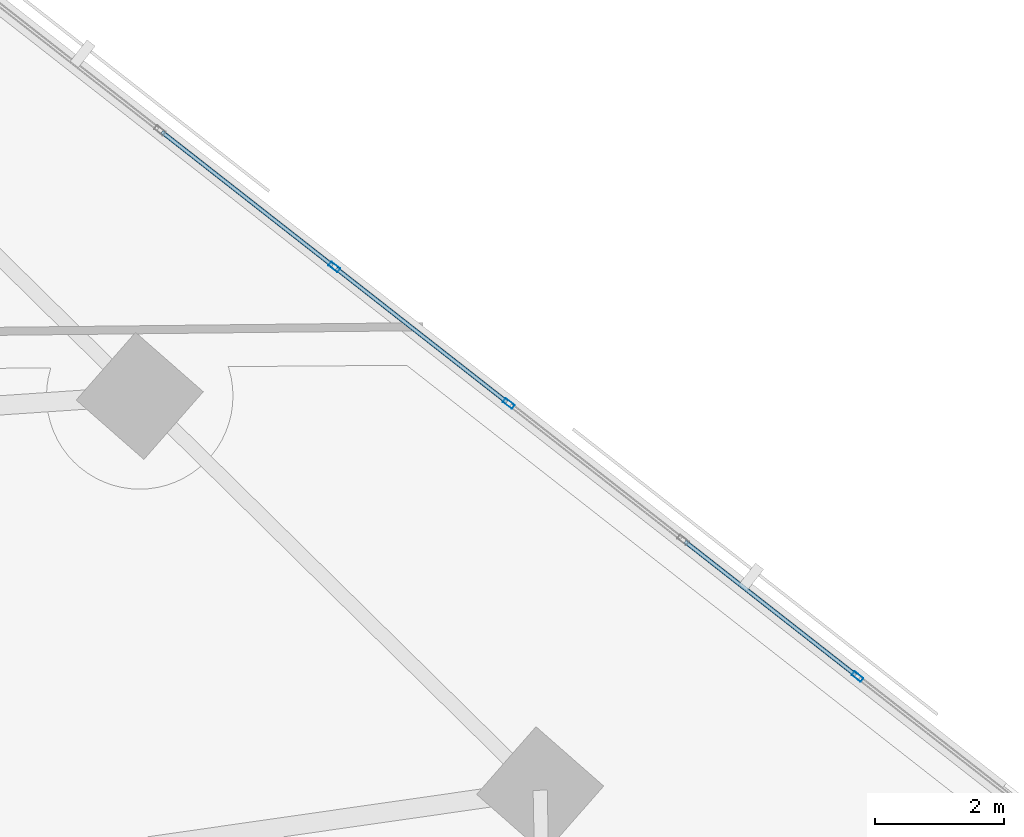
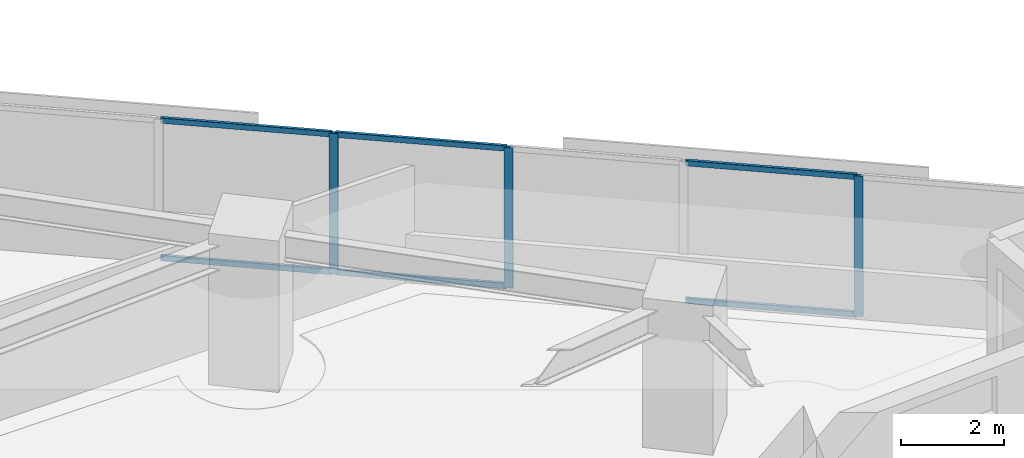
# One storey, part 5 of 17: 9 members, 1 element without a shape of its own.
"""IFC4 building model written with IfcOpenShell, lengths in metres."""

from ifc_helpers import new_model, si_unit, direction, frame, origin, origin_2d, place, context, subcontext, project, spatial, hollow_rectangle, extrude, material, material_profile, profile_set, type_object, element, aggregate, save


model = new_model("IFC4")

# Units and contexts
model_context = context("Model", 3, precision=1e-05, world=origin(), true_north=direction((0.0, 1.0)))
body_context = subcontext(model_context, "Body", "Model", "MODEL_VIEW")
ifc_project = project(units=[si_unit("LENGTHUNIT", "METRE"), si_unit("AREAUNIT", "SQUARE_METRE"), si_unit("VOLUMEUNIT", "CUBIC_METRE"), si_unit("PLANEANGLEUNIT", "RADIAN"), si_unit("MASSUNIT", "GRAM", prefix="KILO")], contexts=[model_context])

# Site, building, storey
site_placement = place(None, origin())
site = spatial("IfcSite", under=ifc_project, at=site_placement, CompositionType="ELEMENT")
building_placement = place(site_placement, origin())
building = spatial("IfcBuilding", under=site, at=building_placement, Name="Narakoshi Arena Tower", CompositionType="ELEMENT")
storey_placement = place(building_placement, frame((0.0, 0.0, 63.300048828125)))
storey = spatial("IfcBuildingStorey", under=building, at=storey_placement, Name="L16", CompositionType="ELEMENT", Elevation=63.300048828125)

# Curtain wall, members
ifc_material = material(Name="Anodised bronze aluminium 6063-T6", Category="aluminium")
curtain_wall_type = type_object("IfcCurtainWallType", Name="CW-HYP-LOW", PredefinedType="NOTDEFINED", material=ifc_material)
curtain_wall_placement = place(storey_placement, origin())
curtain_wall = element("IfcCurtainWall", 1, at=curtain_wall_placement, inside=storey, type_object=curtain_wall_type, Name="L16 Folded Hypotenuse Curtain Wall 1-1", PredefinedType="NOTDEFINED")
ifc_material_profile_1 = material_profile(ifc_material, hollow_rectangle(XDim=0.074951171875, YDim=0.179931640625, WallThickness=0.00390625, OuterFilletRadius=0.0048828125, at=origin_2d()), Name="MUL180x75x4")
ifc_profile_set_1 = profile_set([ifc_material_profile_1], Name="Anodised bronze aluminium 6063-T6")
member_type_1 = type_object("IfcMemberType", Name="MEM-MUL-180", PredefinedType="MULLION", material=ifc_profile_set_1)
member_1_placement = place(storey_placement, frame((118.150634765625, 40.435791015625, 0.0), z_axis=(0.0, 0.0, 1.0), x_axis=(-0.616458234641, -0.787387607817, 0.0)))
member_1 = element("IfcMember", 2, at=member_1_placement, type_object=member_type_1, Name="CW-01 mullion 2", PredefinedType="MULLION", context=body_context, shape_type="SweptSolid", body=[
    extrude(hollow_rectangle(XDim=0.074951171875, YDim=0.179931640625, WallThickness=0.00390625, OuterFilletRadius=0.0048828125, at=origin_2d()), origin(), (0.0, 0.0, 1.0), 3.33984375),
])
member_2_placement = place(storey_placement, frame((112.7275390625, 44.681640625, 0.0), z_axis=(0.0, 0.0, 1.0), x_axis=(-0.616458234641, -0.787387607817, 0.0)))
member_2 = element("IfcMember", 3, at=member_2_placement, type_object=member_type_1, Name="CW-01 mullion 4", PredefinedType="MULLION", context=body_context, shape_type="SweptSolid", body=[
    extrude(hollow_rectangle(XDim=0.074951171875, YDim=0.179931640625, WallThickness=0.00390625, OuterFilletRadius=0.0048828125, at=origin_2d()), origin(), (0.0, 0.0, 1.0), 3.33984375),
])
member_3_placement = place(storey_placement, frame((110.015869140625, 46.8046875, 0.0), z_axis=(0.0, 0.0, 1.0), x_axis=(-0.616458234641, -0.787387607817, 0.0)))
member_3 = element("IfcMember", 4, at=member_3_placement, type_object=member_type_1, Name="CW-01 mullion 5", PredefinedType="MULLION", context=body_context, shape_type="SweptSolid", body=[
    extrude(hollow_rectangle(XDim=0.074951171875, YDim=0.179931640625, WallThickness=0.00390625, OuterFilletRadius=0.0048828125, at=origin_2d()), origin(), (0.0, 0.0, 1.0), 3.33984375),
])
ifc_material_profile_2 = material_profile(ifc_material, hollow_rectangle(XDim=0.06494140625, YDim=0.1298828125, WallThickness=0.00390625, OuterFilletRadius=0.0048828125, at=origin_2d()), Name="TRN130x65x4")
ifc_profile_set_2 = profile_set([ifc_material_profile_2], Name="Anodised bronze aluminium 6063-T6")
member_type_2 = type_object("IfcMemberType", Name="MEM-TRN-130", PredefinedType="USERDEFINED", material=ifc_profile_set_2)
member_4_placement = place(storey_placement, frame((118.12109375, 40.458984375, 0.032470703125), z_axis=(-0.787400998112, 0.616441131149, 0.0), x_axis=(-0.616441131149, -0.787400998112, 0.0)))
member_4 = element("IfcMember", 5, at=member_4_placement, type_object=member_type_2, Name="CW-01 transom 2.1", ObjectType="TRANSOM", PredefinedType="USERDEFINED", context=body_context, shape_type="SweptSolid", body=[
    extrude(hollow_rectangle(XDim=0.06494140625, YDim=0.1298828125, WallThickness=0.00390625, OuterFilletRadius=0.0048828125, at=origin_2d()), origin(), (0.0, 0.0, 1.0), 3.368896484375),
])
member_5_placement = place(storey_placement, frame((118.12109375, 40.458984375, 3.307373046875), z_axis=(-0.787400998112, 0.616441131149, 0.0), x_axis=(-0.616441131149, -0.787400998112, 0.0)))
member_5 = element("IfcMember", 6, at=member_5_placement, type_object=member_type_2, Name="CW-01 transom 2.2", ObjectType="TRANSOM", PredefinedType="USERDEFINED", context=body_context, shape_type="SweptSolid", body=[
    extrude(hollow_rectangle(XDim=0.06494140625, YDim=0.1298828125, WallThickness=0.00390625, OuterFilletRadius=0.0048828125, at=origin_2d()), origin(), (0.0, 0.0, 1.0), 3.368896484375),
])
member_6_placement = place(storey_placement, frame((112.697998046875, 44.704833984375, 0.032470703125), z_axis=(-0.787400998112, 0.616441131149, 0.0), x_axis=(-0.616441131149, -0.787400998112, 0.0)))
member_6 = element("IfcMember", 7, at=member_6_placement, type_object=member_type_2, Name="CW-01 transom 4.1", ObjectType="TRANSOM", PredefinedType="USERDEFINED", context=body_context, shape_type="SweptSolid", body=[
    extrude(hollow_rectangle(XDim=0.06494140625, YDim=0.1298828125, WallThickness=0.00390625, OuterFilletRadius=0.0048828125, at=origin_2d()), origin(), (0.0, 0.0, 1.0), 3.368896484375),
])
member_7_placement = place(storey_placement, frame((112.697998046875, 44.704833984375, 3.307373046875), z_axis=(-0.787400998112, 0.616441131149, 0.0), x_axis=(-0.616441131149, -0.787400998112, 0.0)))
member_7 = element("IfcMember", 8, at=member_7_placement, type_object=member_type_2, Name="CW-01 transom 4.2", ObjectType="TRANSOM", PredefinedType="USERDEFINED", context=body_context, shape_type="SweptSolid", body=[
    extrude(hollow_rectangle(XDim=0.06494140625, YDim=0.1298828125, WallThickness=0.00390625, OuterFilletRadius=0.0048828125, at=origin_2d()), origin(), (0.0, 0.0, 1.0), 3.368896484375),
])
member_8_placement = place(storey_placement, frame((109.986328125, 46.827880859375, 0.032470703125), z_axis=(-0.787373456673, 0.616476309137, 0.0), x_axis=(-0.616476309137, -0.787373456673, 0.0)))
member_8 = element("IfcMember", 9, at=member_8_placement, type_object=member_type_2, Name="CW-01 transom 5.1", ObjectType="TRANSOM", PredefinedType="USERDEFINED", context=body_context, shape_type="SweptSolid", body=[
    extrude(hollow_rectangle(XDim=0.06494140625, YDim=0.1298828125, WallThickness=0.00390625, OuterFilletRadius=0.0048828125, at=origin_2d()), origin(), (0.0, 0.0, 1.0), 3.36865234375),
])
member_9_placement = place(storey_placement, frame((109.986328125, 46.827880859375, 3.307373046875), z_axis=(-0.787373456673, 0.616476309137, 0.0), x_axis=(-0.616476309137, -0.787373456673, 0.0)))
member_9 = element("IfcMember", 10, at=member_9_placement, type_object=member_type_2, Name="CW-01 transom 5.2", ObjectType="TRANSOM", PredefinedType="USERDEFINED", context=body_context, shape_type="SweptSolid", body=[
    extrude(hollow_rectangle(XDim=0.06494140625, YDim=0.1298828125, WallThickness=0.00390625, OuterFilletRadius=0.0048828125, at=origin_2d()), origin(), (0.0, 0.0, 1.0), 3.36865234375),
])
aggregate(curtain_wall, [member_1, member_2, member_3, member_4, member_5, member_6, member_7, member_8, member_9])

save(model, "model.ifc")
